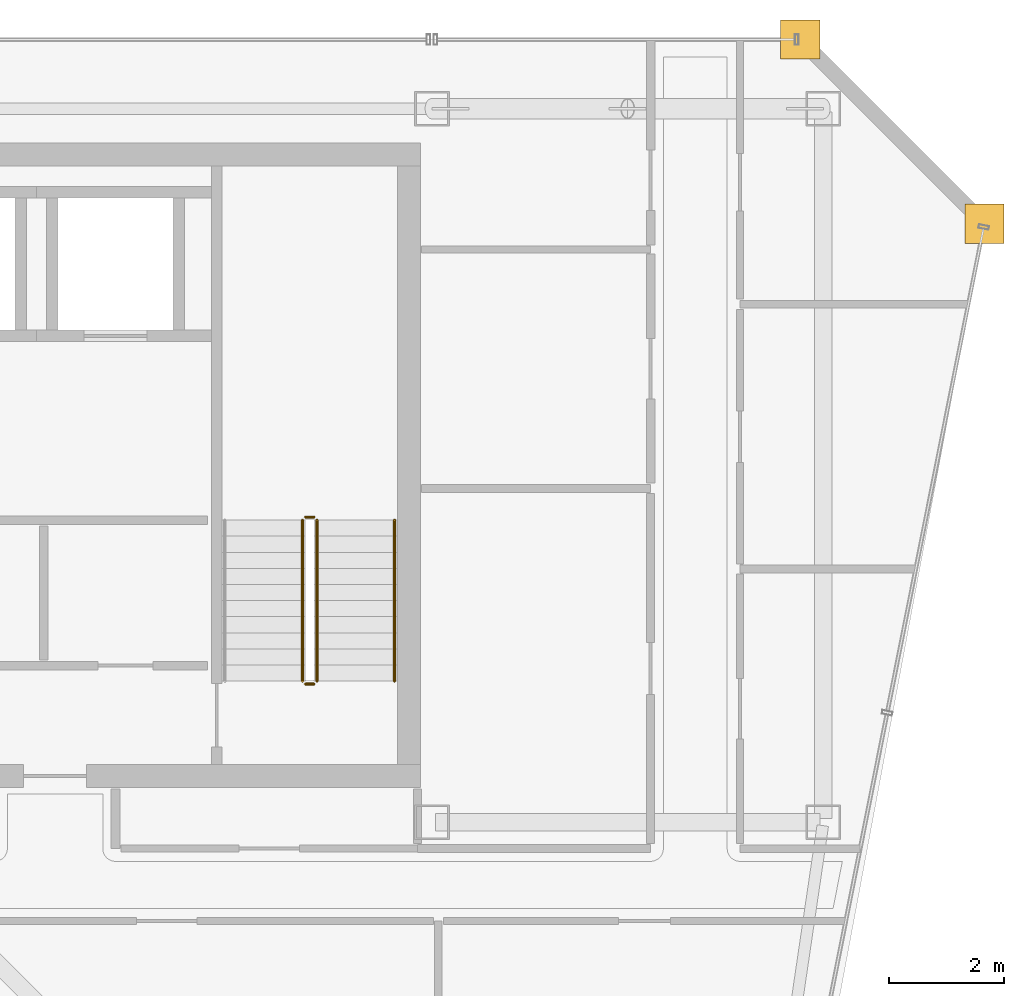
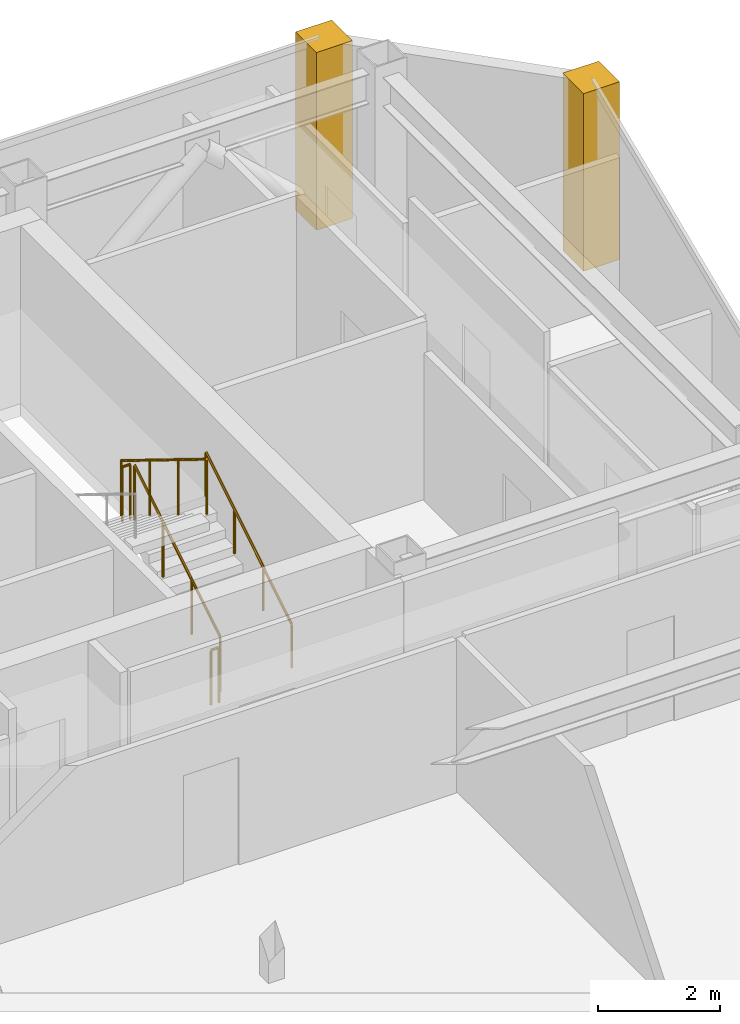
# One storey, part 20 of 20: 5 railings, 2 coverings.
"""IFC4 building model written with IfcOpenShell, lengths in metres."""

from ifc_helpers import new_model, si_unit, direction, frame, origin, origin_2d, place, context, subcontext, project, spatial, polyline, circle, outline, extrude, material, layer, layer_set, type_object, element, save


model = new_model("IFC4")

# Units and contexts
model_context = context("Model", 3, precision=1e-05, world=origin(), true_north=direction((0.0, 1.0)))
body_context = subcontext(model_context, "Body", "Model", "MODEL_VIEW")
ifc_project = project(units=[si_unit("LENGTHUNIT", "METRE"), si_unit("AREAUNIT", "SQUARE_METRE"), si_unit("VOLUMEUNIT", "CUBIC_METRE"), si_unit("PLANEANGLEUNIT", "RADIAN"), si_unit("MASSUNIT", "GRAM", prefix="KILO")], contexts=[model_context])

# Site, building, storey
site_placement = place(None, origin())
site = spatial("IfcSite", under=ifc_project, at=site_placement, CompositionType="ELEMENT")
building_placement = place(site_placement, origin())
building = spatial("IfcBuilding", under=site, at=building_placement, Name="Saevonmaru Cultural Tower", CompositionType="ELEMENT")
storey_placement = place(building_placement, frame((0.0, 0.0, 295.199951171875)))
storey = spatial("IfcBuildingStorey", under=building, at=storey_placement, Name="L70", CompositionType="ELEMENT", Elevation=295.199951171875)

# Coverings
ifc_material_1 = material(Name="Satin Bronze Anodised Aluminium", Category="aluminium")
ifc_layer = layer(ifc_material_1, 0.679931640625, Name="Satin Bronze Anodised Aluminium")
ifc_layer_set = layer_set([ifc_layer], Name="Satin Bronze Anodised Aluminium")
covering_type = type_object("IfcCoveringType", Name="CV-CORNER-CLAD", PredefinedType="CLADDING", material=ifc_layer_set)
covering_1_placement = place(storey_placement, origin())
element("IfcCovering", 1, at=covering_1_placement, inside=storey, type_object=covering_type, Name="L70 Tower Bronze Corner Cladding Pier 9", PredefinedType="CLADDING", context=body_context, shape_type="SweptSolid", body=[
    extrude(outline(polyline([(55.659912109375, 52.4599609375), (56.340087890625, 52.4599609375), (56.340087890625, 53.139892578125), (55.659912109375, 53.139892578125), (55.659912109375, 52.4599609375)])), origin(), (0.0, 0.0, 1.0), 3.550048828125),
])
covering_2_placement = place(storey_placement, origin())
element("IfcCovering", 2, at=covering_2_placement, inside=storey, type_object=covering_type, Name="L70 Tower Bronze Corner Cladding Pier 10", PredefinedType="CLADDING", context=body_context, shape_type="SweptSolid", body=[
    extrude(outline(polyline([(52.4599609375, 55.659912109375), (53.139892578125, 55.659912109375), (53.139892578125, 56.340087890625), (52.4599609375, 56.340087890625), (52.4599609375, 55.659912109375)])), origin(), (0.0, 0.0, 1.0), 3.550048828125),
])

# Railings
ifc_material_2 = material(Name="Architectural Painted Steel", Category="steel")
railing_type_1 = type_object("IfcRailingType", Name="RL-STAIR-GUARD", PredefinedType="GUARDRAIL", material=ifc_material_2)
railing_1_placement = place(storey_placement, frame((44.39990234375, 44.85009765625, 0.1728515625)))
element("IfcRailing", 3, at=railing_1_placement, inside=storey, type_object=railing_type_1, Name="L70 ST-2 stair guard 1", PredefinedType="GUARDRAIL", context=body_context, shape_type="SweptSolid", body=[
    extrude(circle(Radius=0.02392578125, at=origin_2d()), frame((0.0, 0.0, 1.09619140625), z_axis=(0.0, 0.851069175582, 0.525053576669), x_axis=(-1.0, 0.0, 0.0)), (0.0, 0.0, 1.0), 3.289794921875),
    extrude(circle(Radius=0.02099609375, at=origin_2d()), origin(), (0.0, 0.0, 1.0), 1.072021484375),
    extrude(circle(Radius=0.02099609375, at=origin_2d()), frame((0.0, 0.933349609375, 0.57568359375)), (0.0, 0.0, 1.0), 1.072021484375),
    extrude(circle(Radius=0.02099609375, at=origin_2d()), frame((0.0, 1.866455078125, 1.151611328125)), (0.0, 0.0, 1.0), 1.072021484375),
    extrude(circle(Radius=0.02099609375, at=origin_2d()), frame((0.0, 2.7998046875, 1.727294921875)), (0.0, 0.0, 1.0), 1.072021484375),
])
railing_2_placement = place(storey_placement, frame((44.35009765625, 47.699951171875, 1.900146484375)))
element("IfcRailing", 4, at=railing_2_placement, inside=storey, type_object=railing_type_1, Name="L70 ST-2 stair guard 2", PredefinedType="GUARDRAIL", context=body_context, shape_type="SweptSolid", body=[
    extrude(circle(Radius=0.02392578125, at=origin_2d()), frame((0.0, 0.0, 1.09619140625), z_axis=(-1.0, 0.0, 0.0), x_axis=(0.0, -1.0, 0.0)), (0.0, 0.0, 1.0), 0.150146484375),
    extrude(circle(Radius=0.02099609375, at=origin_2d()), origin(), (0.0, 0.0, 1.0), 1.072021484375),
    extrude(circle(Radius=0.02099609375, at=origin_2d()), frame((-0.150146484375, 0.0, 0.0)), (0.0, 0.0, 1.0), 1.072021484375),
])
railing_3_placement = place(storey_placement, frame((44.14990234375, 47.64990234375, 2.07275390625)))
element("IfcRailing", 5, at=railing_3_placement, inside=storey, type_object=railing_type_1, Name="L70 ST-2 stair guard 3", PredefinedType="GUARDRAIL", context=body_context, shape_type="SweptSolid", body=[
    extrude(circle(Radius=0.02392578125, at=origin_2d()), frame((0.0, 0.0, 1.09619140625), z_axis=(0.0, -0.851069175582, 0.525053576669), x_axis=(1.0, 0.0, 0.0)), (0.0, 0.0, 1.0), 3.289794921875),
    extrude(circle(Radius=0.02099609375, at=origin_2d()), origin(), (0.0, 0.0, 1.0), 1.072021484375),
    extrude(circle(Radius=0.02099609375, at=origin_2d()), frame((0.0, -0.933349609375, 0.57568359375)), (0.0, 0.0, 1.0), 1.072021484375),
    extrude(circle(Radius=0.02099609375, at=origin_2d()), frame((0.0, -1.866455078125, 1.151611328125)), (0.0, 0.0, 1.0), 1.072021484375),
    extrude(circle(Radius=0.02099609375, at=origin_2d()), frame((0.0, -2.7998046875, 1.727294921875)), (0.0, 0.0, 1.0), 1.072021484375),
])
railing_4_placement = place(storey_placement, frame((44.35009765625, 44.800048828125, 0.0)))
element("IfcRailing", 6, at=railing_4_placement, inside=storey, type_object=railing_type_1, Name="L70 ST-2 stair guard 4", PredefinedType="GUARDRAIL", context=body_context, shape_type="SweptSolid", body=[
    extrude(circle(Radius=0.02392578125, at=origin_2d()), frame((0.0, 0.0, 1.09619140625), z_axis=(-1.0, 0.0, 0.0), x_axis=(0.0, -1.0, 0.0)), (0.0, 0.0, 1.0), 0.150146484375),
    extrude(circle(Radius=0.02099609375, at=origin_2d()), origin(), (0.0, 0.0, 1.0), 1.072021484375),
    extrude(circle(Radius=0.02099609375, at=origin_2d()), frame((-0.150146484375, 0.0, 0.0)), (0.0, 0.0, 1.0), 1.072021484375),
])
railing_type_2 = type_object("IfcRailingType", Name="RL-STAIR-HANDRAIL", PredefinedType="HANDRAIL", material=ifc_material_1)
railing_5_placement = place(storey_placement, frame((45.75, 44.85009765625, 0.1728515625)))
element("IfcRailing", 7, at=railing_5_placement, inside=storey, type_object=railing_type_2, Name="L70 ST-2 stair handrail 1", PredefinedType="HANDRAIL", context=body_context, shape_type="SweptSolid", body=[
    extrude(circle(Radius=0.02392578125, at=origin_2d()), frame((0.0, 0.0, 0.8759765625), z_axis=(0.0, 0.851069175582, 0.525053576669), x_axis=(-1.0, 0.0, 0.0)), (0.0, 0.0, 1.0), 3.289794921875),
    extrude(circle(Radius=0.02099609375, at=origin_2d()), origin(), (0.0, 0.0, 1.0), 0.851806640625),
    extrude(circle(Radius=0.02099609375, at=origin_2d()), frame((0.0, 0.933349609375, 0.57568359375)), (0.0, 0.0, 1.0), 0.851806640625),
    extrude(circle(Radius=0.02099609375, at=origin_2d()), frame((0.0, 1.866455078125, 1.151611328125)), (0.0, 0.0, 1.0), 0.851806640625),
    extrude(circle(Radius=0.02099609375, at=origin_2d()), frame((0.0, 2.7998046875, 1.727294921875)), (0.0, 0.0, 1.0), 0.851806640625),
])

save(model, "model.ifc")
